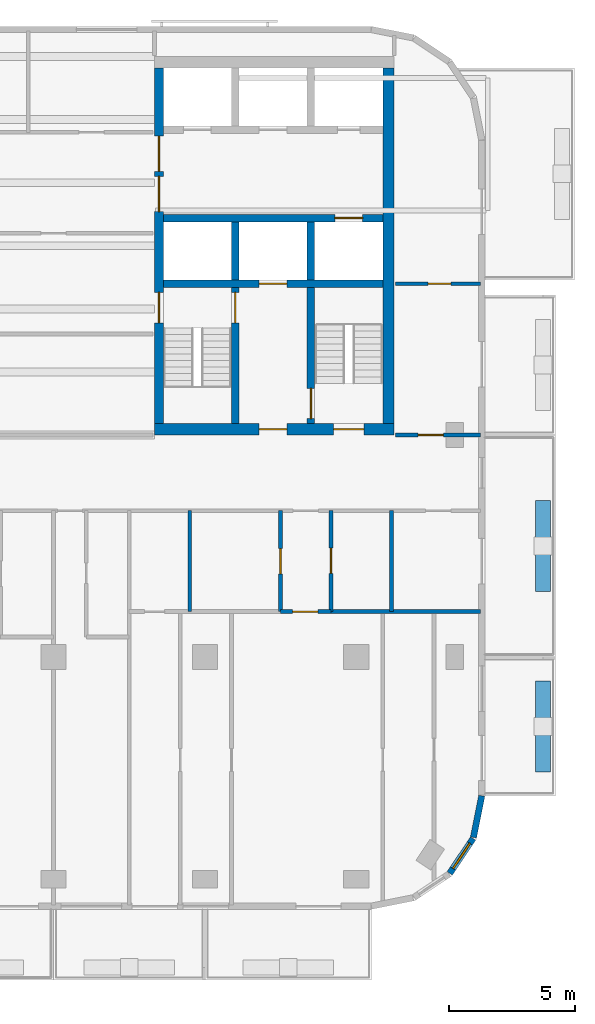
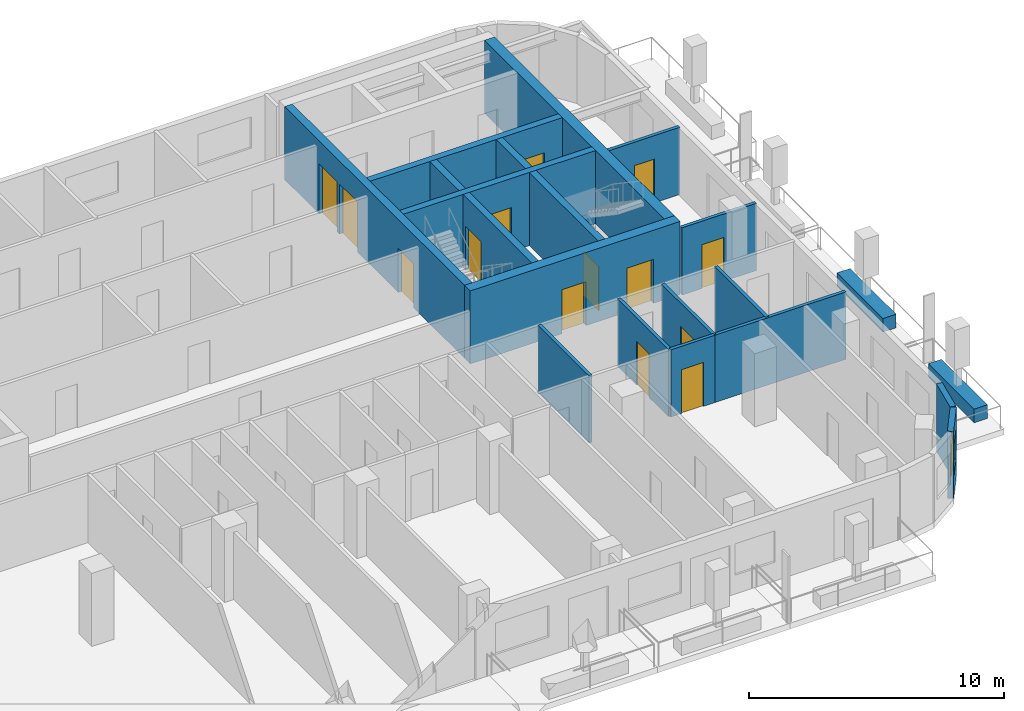
# One storey, part 5 of 11: 21 walls, 14 doors, 1 window, 15 openings.
"""IFC4 building model written with IfcOpenShell, lengths in metres."""

from ifc_helpers import new_model, si_unit, direction, frame, frame_2d, origin, place, context, subcontext, project, spatial, rectangle, extrude, material, layer, layer_set, type_object, element, fill, save


model = new_model("IFC4")

# Units and contexts
model_context = context("Model", 3, precision=1e-05, world=origin(), true_north=direction((0.0, 1.0)))
body_context = subcontext(model_context, "Body", "Model", "MODEL_VIEW")
ifc_project = project(units=[si_unit("LENGTHUNIT", "METRE"), si_unit("AREAUNIT", "SQUARE_METRE"), si_unit("VOLUMEUNIT", "CUBIC_METRE"), si_unit("PLANEANGLEUNIT", "RADIAN"), si_unit("MASSUNIT", "GRAM", prefix="KILO")], contexts=[model_context])

# Site, building, storey
site_placement = place(None, origin())
site = spatial("IfcSite", under=ifc_project, at=site_placement, CompositionType="ELEMENT")
building_placement = place(site_placement, origin())
building = spatial("IfcBuilding", under=site, at=building_placement, Name="Torana Hotel and Residences", CompositionType="ELEMENT")
storey_placement = place(building_placement, frame((0.0, 0.0, 266.60009765625)))
storey = spatial("IfcBuildingStorey", under=building, at=storey_placement, Name="L70", CompositionType="ELEMENT", Elevation=266.60009765625)

# Wall, opening, door
ifc_material_1 = material(Name="Concrete C60/75", Category="concrete")
ifc_layer_1 = layer(ifc_material_1, 0.300048828125)
ifc_layer_set_1 = layer_set([ifc_layer_1], Name="CORE WALL 300 C60/75")
wall_type_1 = type_object("IfcWallType", Name="CORE WALL 300 C60/75", PredefinedType="SHEAR", material=ifc_layer_set_1)
wall_1_placement = place(storey_placement, frame((10.35009765625, -6.39990234375, 0.0), z_axis=(0.0, 0.0, 1.0), x_axis=(1.0, 0.0, 0.0)))
wall_1 = element("IfcWall", 1, at=wall_1_placement, inside=storey, type_object=wall_type_1, Name="Core wall E row-S", PredefinedType="SHEAR", context=body_context, shape_type="SweptSolid", body=[
    extrude(rectangle(XDim=8.699951171875, YDim=0.300048828125, at=frame_2d((4.35009765625, 0.0))), origin(), (0.0, 0.0, 1.0), 3.5),
])
opening_1_placement = place(wall_1_placement, frame((6.800048828125, 0.0, 0.0)))
opening_1 = element("IfcOpeningElement", 2, at=opening_1_placement, cuts=wall_1, Name="Opening LD", PredefinedType="OPENING", context=body_context, shape_type="SweptSolid", body=[
    extrude(rectangle(XDim=1.10009765625, YDim=2.10009765625, at=frame_2d((0.550048828125, 1.050048828125))), frame((0.0, 0.159912109375, 0.0), z_axis=(0.0, -1.0, 0.0), x_axis=(1.0, 0.0, 0.0)), (0.0, 0.0, 1.0), 0.320068359375),
])
ifc_material_2 = material(Name="Stainless steel 316", Category="steel")
door_type_1 = type_object("IfcDoorType", Name="LIFT LANDING DOOR LD 1100x2100", OperationType="DOUBLE_DOOR_SLIDING", PredefinedType="USERDEFINED", material=ifc_material_2)
door_1_placement = place(opening_1_placement, origin())
door_1 = element("IfcDoor", 3, at=door_1_placement, inside=storey, type_object=door_type_1, Name="Lift landing door SV2 L70", ObjectType="LIFT LANDING DOOR", OperationType="DOUBLE_DOOR_SLIDING", OverallHeight=2.10009765625, OverallWidth=1.10009765625, PredefinedType="USERDEFINED", context=body_context, shape_type="SweptSolid", body=[
    extrude(rectangle(XDim=1.10009765625, YDim=2.10009765625, at=frame_2d((0.550048828125, 1.050048828125))), frame((0.0, 0.02490234375, 0.0), z_axis=(0.0, -1.0, 0.0), x_axis=(1.0, 0.0, 0.0)), (0.0, 0.0, 1.0), 0.050048828125),
])
fill(opening_1, door_1)

wall_2_placement = place(storey_placement, frame((10.35009765625, -9.0, 0.0), z_axis=(0.0, 0.0, 1.0), x_axis=(1.0, 0.0, 0.0)))
wall_2 = element("IfcWall", 4, at=wall_2_placement, inside=storey, type_object=wall_type_1, Name="Core wall E band", PredefinedType="SHEAR", context=body_context, shape_type="SweptSolid", body=[
    extrude(rectangle(XDim=8.699951171875, YDim=0.300048828125, at=frame_2d((4.35009765625, 0.0))), origin(), (0.0, 0.0, 1.0), 3.5),
])
opening_2_placement = place(wall_2_placement, frame((3.800048828125, 0.0, 0.0)))
opening_2 = element("IfcOpeningElement", 5, at=opening_2_placement, cuts=wall_2, Name="Opening LD", PredefinedType="OPENING", context=body_context, shape_type="SweptSolid", body=[
    extrude(rectangle(XDim=1.10009765625, YDim=2.10009765625, at=frame_2d((0.550048828125, 1.050048828125))), frame((0.0, 0.159912109375, 0.0), z_axis=(0.0, -1.0, 0.0), x_axis=(1.0, 0.0, 0.0)), (0.0, 0.0, 1.0), 0.320068359375),
])
door_2_placement = place(opening_2_placement, origin())
door_2 = element("IfcDoor", 6, at=door_2_placement, inside=storey, type_object=door_type_1, Name="Lift landing door FF2 L70", ObjectType="LIFT LANDING DOOR", OperationType="DOUBLE_DOOR_SLIDING", OverallHeight=2.10009765625, OverallWidth=1.10009765625, PredefinedType="USERDEFINED", context=body_context, shape_type="SweptSolid", body=[
    extrude(rectangle(XDim=1.10009765625, YDim=2.10009765625, at=frame_2d((0.550048828125, 1.050048828125))), frame((0.0, 0.02490234375, 0.0), z_axis=(0.0, -1.0, 0.0), x_axis=(1.0, 0.0, 0.0)), (0.0, 0.0, 1.0), 0.050048828125),
])
fill(opening_2, door_2)

# Wall
wall_3_placement = place(storey_placement, frame((13.199951171875, -8.85009765625, 0.0), z_axis=(0.0, 0.0, 1.0), x_axis=(0.0, 1.0, 0.0)))
element("IfcWall", 7, at=wall_3_placement, inside=storey, type_object=wall_type_1, Name="Core wall E x3.05-S", PredefinedType="SHEAR", context=body_context, shape_type="SweptSolid", body=[
    extrude(rectangle(XDim=2.300048828125, YDim=0.300048828125, at=frame_2d((1.14990234375, 0.0))), origin(), (0.0, 0.0, 1.0), 3.5),
])

# Wall, opening, door
wall_4_placement = place(storey_placement, frame((13.199951171875, -14.550048828125, 0.0), z_axis=(0.0, 0.0, 1.0), x_axis=(0.0, 1.0, 0.0)))
wall_4 = element("IfcWall", 8, at=wall_4_placement, inside=storey, type_object=wall_type_1, Name="Core wall E x3.05-band", PredefinedType="SHEAR", context=body_context, shape_type="SweptSolid", body=[
    extrude(rectangle(XDim=5.400146484375, YDim=0.300048828125, at=frame_2d((2.7001953125, 0.0))), origin(), (0.0, 0.0, 1.0), 3.5),
])
opening_3_placement = place(wall_4_placement, frame((4.0, 0.0, 0.0)))
opening_3 = element("IfcOpeningElement", 9, at=opening_3_placement, cuts=wall_4, Name="Opening L70-15", PredefinedType="OPENING", context=body_context, shape_type="SweptSolid", body=[
    extrude(rectangle(XDim=1.199951171875, YDim=2.10009765625, at=frame_2d((0.60009765625, 1.050048828125))), frame((0.0, 0.159912109375, 0.0), z_axis=(0.0, -1.0, 0.0), x_axis=(1.0, 0.0, 0.0)), (0.0, 0.0, 1.0), 0.320068359375),
])
ifc_material_3 = material(Name="Steel S235", Category="steel")
door_type_2 = type_object("IfcDoorType", Name="STAIR FIRE DOOR D3 1200x2100", OperationType="SINGLE_SWING_LEFT", PredefinedType="DOOR", material=ifc_material_3)
door_3_placement = place(opening_3_placement, origin())
door_3 = element("IfcDoor", 10, at=door_3_placement, inside=storey, type_object=door_type_2, Name="Stair-A-lobby door L70", OperationType="SINGLE_SWING_LEFT", OverallHeight=2.10009765625, OverallWidth=1.199951171875, PredefinedType="DOOR", context=body_context, shape_type="SweptSolid", body=[
    extrude(rectangle(XDim=1.199951171875, YDim=2.10009765625, at=frame_2d((0.60009765625, 1.050048828125))), frame((0.0, 0.02490234375, 0.0), z_axis=(0.0, -1.0, 0.0), x_axis=(1.0, 0.0, 0.0)), (0.0, 0.0, 1.0), 0.050048828125),
])
fill(opening_3, door_3)

# Wall
wall_5_placement = place(storey_placement, frame((16.199951171875, -8.85009765625, 0.0), z_axis=(0.0, 0.0, 1.0), x_axis=(0.0, 1.0, 0.0)))
element("IfcWall", 11, at=wall_5_placement, inside=storey, type_object=wall_type_1, Name="Core wall E x6.05-S", PredefinedType="SHEAR", context=body_context, shape_type="SweptSolid", body=[
    extrude(rectangle(XDim=2.300048828125, YDim=0.300048828125, at=frame_2d((1.14990234375, 0.0))), origin(), (0.0, 0.0, 1.0), 3.5),
])

# Wall, opening, door
wall_6_placement = place(storey_placement, frame((16.199951171875, -14.550048828125, 0.0), z_axis=(0.0, 0.0, 1.0), x_axis=(0.0, 1.0, 0.0)))
wall_6 = element("IfcWall", 12, at=wall_6_placement, inside=storey, type_object=wall_type_1, Name="Core wall E x6.05-band", PredefinedType="SHEAR", context=body_context, shape_type="SweptSolid", body=[
    extrude(rectangle(XDim=5.400146484375, YDim=0.300048828125, at=frame_2d((2.7001953125, 0.0))), origin(), (0.0, 0.0, 1.0), 3.5),
])
opening_4_placement = place(wall_6_placement, frame((0.199951171875, 0.0, 0.0)))
opening_4 = element("IfcOpeningElement", 13, at=opening_4_placement, cuts=wall_6, Name="Opening L70-16", PredefinedType="OPENING", context=body_context, shape_type="SweptSolid", body=[
    extrude(rectangle(XDim=1.199951171875, YDim=2.10009765625, at=frame_2d((0.60009765625, 1.050048828125))), frame((0.0, 0.159912109375, 0.0), z_axis=(0.0, -1.0, 0.0), x_axis=(1.0, 0.0, 0.0)), (0.0, 0.0, 1.0), 0.320068359375),
])
door_4_placement = place(opening_4_placement, frame((0.60009765625, 0.0, 0.0), z_axis=(0.0, 0.0, 1.0), x_axis=(-1.0, 0.0, 0.0)))
door_4 = element("IfcDoor", 14, at=door_4_placement, inside=storey, type_object=door_type_2, Name="Stair-B-lobby door L70", OperationType="SINGLE_SWING_LEFT", OverallHeight=2.10009765625, OverallWidth=1.199951171875, PredefinedType="DOOR", context=body_context, shape_type="SweptSolid", body=[
    extrude(rectangle(XDim=1.199951171875, YDim=2.10009765625, at=frame_2d((0.0, 1.050048828125))), frame((0.0, -0.02490234375, 0.0), z_axis=(0.0, 1.0, 0.0), x_axis=(-1.0, 0.0, 0.0)), (0.0, 0.0, 1.0), 0.050048828125),
])
fill(opening_4, door_4)

# Wall, openings, doors
ifc_material_4 = material(Name="Concrete C60/75", Category="concrete")
ifc_layer_2 = layer(ifc_material_4, 0.35009765625)
ifc_layer_set_2 = layer_set([ifc_layer_2], Name="CORE WALL 350 C60/75")
wall_type_2 = type_object("IfcWallType", Name="CORE WALL 350 C60/75", PredefinedType="SHEAR", material=ifc_layer_set_2)
wall_7_placement = place(storey_placement, frame((10.175048828125, -14.550048828125, 0.0), z_axis=(0.0, 0.0, 1.0), x_axis=(0.0, 1.0, 0.0)))
wall_7 = element("IfcWall", 15, at=wall_7_placement, inside=storey, type_object=wall_type_2, Name="Core wall E arch", PredefinedType="SHEAR", context=body_context, shape_type="SweptSolid", body=[
    extrude(rectangle(XDim=14.10009765625, YDim=0.35009765625, at=frame_2d((7.050048828125, 0.0))), origin(), (0.0, 0.0, 1.0), 3.5),
])
opening_5_placement = place(wall_7_placement, frame((8.39990234375, 0.0, 0.0)))
opening_5 = element("IfcOpeningElement", 16, at=opening_5_placement, cuts=wall_7, Name="Opening L70-09", PredefinedType="OPENING", context=body_context, shape_type="SweptSolid", body=[
    extrude(rectangle(XDim=1.39990234375, YDim=2.39990234375, at=frame_2d((0.699951171875, 1.199951171875))), frame((0.0, 0.18505859375, 0.0), z_axis=(0.0, -1.0, 0.0), x_axis=(1.0, 0.0, 0.0)), (0.0, 0.0, 1.0), 0.3701171875),
])
opening_6_placement = place(wall_7_placement, frame((10.0, 0.0, 0.0)))
opening_6 = element("IfcOpeningElement", 17, at=opening_6_placement, cuts=wall_7, Name="Opening L70-10", PredefinedType="OPENING", context=body_context, shape_type="SweptSolid", body=[
    extrude(rectangle(XDim=1.39990234375, YDim=2.39990234375, at=frame_2d((0.699951171875, 1.199951171875))), frame((0.0, 0.18505859375, 0.0), z_axis=(0.0, -1.0, 0.0), x_axis=(1.0, 0.0, 0.0)), (0.0, 0.0, 1.0), 0.3701171875),
])
opening_7_placement = place(wall_7_placement, frame((4.0, 0.0, 0.0)))
opening_7 = element("IfcOpeningElement", 18, at=opening_7_placement, cuts=wall_7, Name="Opening L70-11", PredefinedType="OPENING", context=body_context, shape_type="SweptSolid", body=[
    extrude(rectangle(XDim=1.199951171875, YDim=2.10009765625, at=frame_2d((0.60009765625, 1.050048828125))), frame((0.0, 0.18505859375, 0.0), z_axis=(0.0, -1.0, 0.0), x_axis=(1.0, 0.0, 0.0)), (0.0, 0.0, 1.0), 0.3701171875),
])
ifc_material_5 = material(Name="Steel S235", Category="steel")
door_type_3 = type_object("IfcDoorType", Name="LOBBY FIRE DOOR D4 1400x2400", OperationType="DOUBLE_DOOR_SINGLE_SWING", PredefinedType="DOOR", material=ifc_material_5)
door_5_placement = place(opening_5_placement, origin())
door_5 = element("IfcDoor", 19, at=door_5_placement, inside=storey, type_object=door_type_3, Name="Lobby-1 door L70", OperationType="DOUBLE_DOOR_SINGLE_SWING", OverallHeight=2.39990234375, OverallWidth=1.39990234375, PredefinedType="DOOR", context=body_context, shape_type="SweptSolid", body=[
    extrude(rectangle(XDim=1.39990234375, YDim=2.39990234375, at=frame_2d((0.699951171875, 1.199951171875))), frame((0.0, 0.02490234375, 0.0), z_axis=(0.0, -1.0, 0.0), x_axis=(1.0, 0.0, 0.0)), (0.0, 0.0, 1.0), 0.050048828125),
])
fill(opening_5, door_5)
door_6_placement = place(opening_6_placement, origin())
door_6 = element("IfcDoor", 20, at=door_6_placement, inside=storey, type_object=door_type_3, Name="Lobby-2 door L70", OperationType="DOUBLE_DOOR_SINGLE_SWING", OverallHeight=2.39990234375, OverallWidth=1.39990234375, PredefinedType="DOOR", context=body_context, shape_type="SweptSolid", body=[
    extrude(rectangle(XDim=1.39990234375, YDim=2.39990234375, at=frame_2d((0.699951171875, 1.199951171875))), frame((0.0, 0.02490234375, 0.0), z_axis=(0.0, -1.0, 0.0), x_axis=(1.0, 0.0, 0.0)), (0.0, 0.0, 1.0), 0.050048828125),
])
fill(opening_6, door_6)
door_7_placement = place(opening_7_placement, frame((0.60009765625, 0.0, 0.0), z_axis=(0.0, 0.0, 1.0), x_axis=(-1.0, 0.0, 0.0)))
door_7 = element("IfcDoor", 21, at=door_7_placement, inside=storey, type_object=door_type_2, Name="Stair-A door L70", OperationType="SINGLE_SWING_RIGHT", OverallHeight=2.10009765625, OverallWidth=1.199951171875, PredefinedType="DOOR", context=body_context, shape_type="SweptSolid", body=[
    extrude(rectangle(XDim=1.199951171875, YDim=2.10009765625, at=frame_2d((0.0, 1.050048828125))), frame((0.0, -0.02490234375, 0.0), z_axis=(0.0, 1.0, 0.0), x_axis=(-1.0, 0.0, 0.0)), (0.0, 0.0, 1.0), 0.050048828125),
])
fill(opening_7, door_7)

ifc_material_6 = material(Name="Concrete C60/75", Category="concrete")
ifc_layer_3 = layer(ifc_material_6, 0.449951171875)
ifc_layer_set_3 = layer_set([ifc_layer_3], Name="CORE WALL 450 C60/75")
wall_type_3 = type_object("IfcWallType", Name="CORE WALL 450 C60/75", PredefinedType="SHEAR", material=ifc_layer_set_3)
wall_8_placement = place(storey_placement, frame((10.0, -14.77490234375, 0.0), z_axis=(0.0, 0.0, 1.0), x_axis=(1.0, 0.0, 0.0)))
wall_8 = element("IfcWall", 22, at=wall_8_placement, inside=storey, type_object=wall_type_3, Name="Core wall E front", PredefinedType="SHEAR", context=body_context, shape_type="SweptSolid", body=[
    extrude(rectangle(XDim=9.5, YDim=0.449951171875, at=frame_2d((4.75, 0.0))), origin(), (0.0, 0.0, 1.0), 3.5),
])
opening_8_placement = place(wall_8_placement, frame((7.10009765625, 0.0, 0.0)))
opening_8 = element("IfcOpeningElement", 23, at=opening_8_placement, cuts=wall_8, Name="Opening L70-12", PredefinedType="OPENING", context=body_context, shape_type="SweptSolid", body=[
    extrude(rectangle(XDim=1.199951171875, YDim=2.10009765625, at=frame_2d((0.60009765625, 1.050048828125))), frame((0.0, 0.23486328125, 0.0), z_axis=(0.0, -1.0, 0.0), x_axis=(1.0, 0.0, 0.0)), (0.0, 0.0, 1.0), 0.469970703125),
])
opening_9_placement = place(wall_8_placement, frame((4.14990234375, 0.0, 0.0)))
opening_9 = element("IfcOpeningElement", 24, at=opening_9_placement, cuts=wall_8, Name="Opening L70-13", PredefinedType="OPENING", context=body_context, shape_type="SweptSolid", body=[
    extrude(rectangle(XDim=1.10009765625, YDim=2.10009765625, at=frame_2d((0.550048828125, 1.050048828125))), frame((0.0, 0.23486328125, 0.0), z_axis=(0.0, -1.0, 0.0), x_axis=(1.0, 0.0, 0.0)), (0.0, 0.0, 1.0), 0.469970703125),
])
ifc_material_7 = material(Name="Steel S235", Category="steel")
door_type_4 = type_object("IfcDoorType", Name="FIRE-FIGHTING LOBBY DOOR D8 1100x2100", OperationType="SINGLE_SWING_LEFT", PredefinedType="DOOR", material=ifc_material_7)
door_8_placement = place(opening_9_placement, origin())
door_8 = element("IfcDoor", 25, at=door_8_placement, inside=storey, type_object=door_type_4, Name="FF-lobby door L70", OperationType="SINGLE_SWING_RIGHT", OverallHeight=2.10009765625, OverallWidth=1.10009765625, PredefinedType="DOOR", context=body_context, shape_type="SweptSolid", body=[
    extrude(rectangle(XDim=1.10009765625, YDim=2.10009765625, at=frame_2d((0.550048828125, 1.050048828125))), frame((0.0, 0.02490234375, 0.0), z_axis=(0.0, -1.0, 0.0), x_axis=(1.0, 0.0, 0.0)), (0.0, 0.0, 1.0), 0.050048828125),
])
fill(opening_9, door_8)
door_9_placement = place(opening_8_placement, origin())
door_9 = element("IfcDoor", 26, at=door_9_placement, inside=storey, type_object=door_type_2, Name="Stair-B door L70", OperationType="SINGLE_SWING_RIGHT", OverallHeight=2.10009765625, OverallWidth=1.199951171875, PredefinedType="DOOR", context=body_context, shape_type="SweptSolid", body=[
    extrude(rectangle(XDim=1.199951171875, YDim=2.10009765625, at=frame_2d((0.60009765625, 1.050048828125))), frame((0.0, 0.02490234375, 0.0), z_axis=(0.0, -1.0, 0.0), x_axis=(1.0, 0.0, 0.0)), (0.0, 0.0, 1.0), 0.050048828125),
])
fill(opening_8, door_9)

# Wall
wall_9_placement = place(storey_placement, frame((19.27490234375, -14.550048828125, 0.0), z_axis=(0.0, 0.0, 1.0), x_axis=(0.0, 1.0, 0.0)))
element("IfcWall", 27, at=wall_9_placement, inside=storey, type_object=wall_type_3, Name="Core wall E outer", PredefinedType="SHEAR", context=body_context, shape_type="SweptSolid", body=[
    extrude(rectangle(XDim=14.10009765625, YDim=0.449951171875, at=frame_2d((7.050048828125, 0.0))), origin(), (0.0, 0.0, 1.0), 3.5),
])

# Wall, opening, window
ifc_material_8 = material(Name="Black aluminium composite panel", Category="aluminium")
ifc_layer_4 = layer(ifc_material_8, 0.00390625, Name="Cladding", Category="cladding")
ifc_material_9 = material(Name="Ventilated air cavity")
ifc_layer_5 = layer(ifc_material_9, 0.0400390625, Name="Ventilated cavity", Category="cavity")
ifc_material_10 = material(Name="Mineral wool insulation")
ifc_layer_6 = layer(ifc_material_10, 0.090087890625, Name="Insulation", Category="insulation")
ifc_material_11 = material(Name="Steel S280GD", Category="steel")
ifc_layer_7 = layer(ifc_material_11, 0.092041015625, Name="Steel stud frame", Category="structure")
ifc_material_12 = material(Name="Fire rated plasterboard")
ifc_layer_8 = layer(ifc_material_12, 0.011962890625, Name="Inner board", Category="finish")
ifc_layer_9 = layer(ifc_material_12, 0.011962890625, Name="Second board", Category="finish")
ifc_layer_set_4 = layer_set([ifc_layer_4, ifc_layer_5, ifc_layer_6, ifc_layer_7, ifc_layer_8, ifc_layer_9], Name="EW1 EXTERNAL WALL BLACK METAL CLAD 250")
wall_type_4 = type_object("IfcWallType", Name="EW1 EXTERNAL WALL BLACK METAL CLAD 250", PredefinedType="SOLIDWALL", material=ifc_layer_set_4)
wall_10_placement = place(storey_placement, frame((21.705810546875, -32.37109375, 0.0), z_axis=(0.0, 0.0, 1.0), x_axis=(0.55555029066, 0.831482937015, 0.0)))
wall_10 = element("IfcWall", 28, at=wall_10_placement, inside=storey, type_object=wall_type_4, Name="External wall L70 e0.17", PredefinedType="SOLIDWALL", context=body_context, shape_type="SweptSolid", body=[
    extrude(rectangle(XDim=1.65625, YDim=0.25, at=frame_2d((0.828125, 0.0))), origin(), (0.0, 0.0, 1.0), 3.219970703125),
])
opening_10_placement = place(wall_10_placement, frame((0.228271484375, 0.0, 0.89990234375)))
opening_10 = element("IfcOpeningElement", 29, at=opening_10_placement, cuts=wall_10, Name="Opening W5", PredefinedType="OPENING", context=body_context, shape_type="SweptSolid", body=[
    extrude(rectangle(XDim=1.199951171875, YDim=1.5, at=frame_2d((0.60009765625, 0.75))), frame((0.0, 0.135009765625, 0.0), z_axis=(0.0, -1.0, 0.0), x_axis=(1.0, 0.0, 0.0)), (0.0, 0.0, 1.0), 0.27001953125),
])
ifc_material_13 = material(Name="Dark glass in black aluminium frame", Category="aluminium")
window_type = type_object("IfcWindowType", Name="W5 CORNER FACET WINDOW 1200x1500", PartitioningType="SINGLE_PANEL", PredefinedType="WINDOW", material=ifc_material_13)
window_placement = place(opening_10_placement, origin())
window = element("IfcWindow", 30, at=window_placement, inside=storey, type_object=window_type, Name="Window L70 e0.17", OverallHeight=1.5, OverallWidth=1.199951171875, PartitioningType="SINGLE_PANEL", PredefinedType="WINDOW", context=body_context, shape_type="SweptSolid", body=[
    extrude(rectangle(XDim=1.199951171875, YDim=1.5, at=frame_2d((0.60009765625, 0.75))), frame((0.0, 0.030029296875, 0.0), z_axis=(0.0, -1.0, 0.0), x_axis=(1.0, 0.0, 0.0)), (0.0, 0.0, 1.0), 0.06005859375),
])
fill(opening_10, window)

# Wall
wall_11_placement = place(storey_placement, frame((22.64453125, -30.948974609375, 0.0), z_axis=(0.0, 0.0, 1.0), x_axis=(0.19513878023, 0.980775640221, 0.0)))
element("IfcWall", 31, at=wall_11_placement, inside=storey, type_object=wall_type_4, Name="External wall L70 e0.18", PredefinedType="SOLIDWALL", context=body_context, shape_type="SweptSolid", body=[
    extrude(rectangle(XDim=1.681396484375, YDim=0.25, at=frame_2d((0.8408203125, 0.0))), origin(), (0.0, 0.0, 1.0), 3.219970703125),
])

# Wall, opening, door
ifc_material_14 = material(Name="Gypsum plaster")
ifc_layer_10 = layer(ifc_material_14, 0.014892578125, Name="Plaster", Category="finish")
ifc_material_15 = material(Name="Concrete blockwork", Category="masonry")
ifc_layer_11 = layer(ifc_material_15, 0.1201171875, Name="Blockwork", Category="structure")
ifc_layer_12 = layer(ifc_material_14, 0.014892578125, Name="Plaster", Category="finish")
ifc_layer_set_5 = layer_set([ifc_layer_10, ifc_layer_11, ifc_layer_12], Name="FIRE PARTITION 150 BLOCKWORK")
wall_type_5 = type_object("IfcWallType", Name="FIRE PARTITION 150 BLOCKWORK", PredefinedType="PARTITIONING", material=ifc_layer_set_5)
wall_12_placement = place(storey_placement, frame((17.0, -22.0, 0.0), z_axis=(0.0, 0.0, 1.0), x_axis=(0.0, 1.0, 0.0)))
wall_12 = element("IfcWall", 32, at=wall_12_placement, inside=storey, type_object=wall_type_5, Name="Partition L70", PredefinedType="PARTITIONING", context=body_context, shape_type="SweptSolid", body=[
    extrude(rectangle(XDim=4.0, YDim=0.14990234375, at=frame_2d((2.0, 0.0))), origin(), (0.0, 0.0, 1.0), 3.219970703125),
])
opening_11_placement = place(wall_12_placement, frame((1.52001953125, 0.0, 0.0)))
opening_11 = element("IfcOpeningElement", 33, at=opening_11_placement, cuts=wall_12, Name="Opening L70-46", PredefinedType="OPENING", context=body_context, shape_type="SweptSolid", body=[
    extrude(rectangle(XDim=1.0, YDim=2.10009765625, at=frame_2d((0.5, 1.050048828125))), frame((0.0, 0.0849609375, 0.0), z_axis=(0.0, -1.0, 0.0), x_axis=(1.0, 0.0, 0.0)), (0.0, 0.0, 1.0), 0.169921875),
])
ifc_material_16 = material(Name="Steel S235", Category="steel")
door_type_5 = type_object("IfcDoorType", Name="ENTRY FIRE DOOR D6 1000x2100", OperationType="SINGLE_SWING_LEFT", PredefinedType="DOOR", material=ifc_material_16)
door_10_placement = place(opening_11_placement, frame((0.5, 0.0, 0.0), z_axis=(0.0, 0.0, 1.0), x_axis=(-1.0, 0.0, 0.0)))
door_10 = element("IfcDoor", 34, at=door_10_placement, inside=storey, type_object=door_type_5, Name="Door L70", OperationType="SINGLE_SWING_LEFT", OverallHeight=2.10009765625, OverallWidth=1.0, PredefinedType="DOOR", context=body_context, shape_type="SweptSolid", body=[
    extrude(rectangle(XDim=1.0, YDim=2.10009765625, at=frame_2d((0.0, 1.050048828125))), frame((0.0, -0.02490234375, 0.0), z_axis=(0.0, 1.0, 0.0), x_axis=(-1.0, 0.0, 0.0)), (0.0, 0.0, 1.0), 0.050048828125),
])
fill(opening_11, door_10)

wall_13_placement = place(storey_placement, frame((15.0, -22.0, 0.0), z_axis=(0.0, 0.0, 1.0), x_axis=(0.0, 1.0, 0.0)))
wall_13 = element("IfcWall", 35, at=wall_13_placement, inside=storey, type_object=wall_type_5, Name="Partition L70", PredefinedType="PARTITIONING", context=body_context, shape_type="SweptSolid", body=[
    extrude(rectangle(XDim=4.0, YDim=0.14990234375, at=frame_2d((2.0, 0.0))), origin(), (0.0, 0.0, 1.0), 3.219970703125),
])
opening_12_placement = place(wall_13_placement, frame((1.5, 0.0, 0.0)))
opening_12 = element("IfcOpeningElement", 36, at=opening_12_placement, cuts=wall_13, Name="Opening L70-45", PredefinedType="OPENING", context=body_context, shape_type="SweptSolid", body=[
    extrude(rectangle(XDim=1.0, YDim=2.10009765625, at=frame_2d((0.5, 1.050048828125))), frame((0.0, 0.0849609375, 0.0), z_axis=(0.0, -1.0, 0.0), x_axis=(1.0, 0.0, 0.0)), (0.0, 0.0, 1.0), 0.169921875),
])
door_11_placement = place(opening_12_placement, origin())
door_11 = element("IfcDoor", 37, at=door_11_placement, inside=storey, type_object=door_type_5, Name="Door L70", OperationType="SINGLE_SWING_RIGHT", OverallHeight=2.10009765625, OverallWidth=1.0, PredefinedType="DOOR", context=body_context, shape_type="SweptSolid", body=[
    extrude(rectangle(XDim=1.0, YDim=2.10009765625, at=frame_2d((0.5, 1.050048828125))), frame((0.0, 0.02490234375, 0.0), z_axis=(0.0, -1.0, 0.0), x_axis=(1.0, 0.0, 0.0)), (0.0, 0.0, 1.0), 0.050048828125),
])
fill(opening_12, door_11)

wall_14_placement = place(storey_placement, frame((15.0, -22.0, 0.0), z_axis=(0.0, 0.0, 1.0), x_axis=(1.0, 0.0, 0.0)))
wall_14 = element("IfcWall", 38, at=wall_14_placement, inside=storey, type_object=wall_type_5, Name="Partition L70", PredefinedType="PARTITIONING", context=body_context, shape_type="SweptSolid", body=[
    extrude(rectangle(XDim=2.0, YDim=0.14990234375, at=frame_2d((1.0, 0.0))), origin(), (0.0, 0.0, 1.0), 3.219970703125),
])
opening_13_placement = place(wall_14_placement, frame((0.47998046875, 0.0, 0.0)))
opening_13 = element("IfcOpeningElement", 39, at=opening_13_placement, cuts=wall_14, Name="Opening L70-47", PredefinedType="OPENING", context=body_context, shape_type="SweptSolid", body=[
    extrude(rectangle(XDim=1.0, YDim=2.10009765625, at=frame_2d((0.5, 1.050048828125))), frame((0.0, 0.0849609375, 0.0), z_axis=(0.0, -1.0, 0.0), x_axis=(1.0, 0.0, 0.0)), (0.0, 0.0, 1.0), 0.169921875),
])
door_12_placement = place(opening_13_placement, frame((0.5, 0.0, 0.0), z_axis=(0.0, 0.0, 1.0), x_axis=(-1.0, 0.0, 0.0)))
door_12 = element("IfcDoor", 40, at=door_12_placement, inside=storey, type_object=door_type_5, Name="Door L70", OperationType="SINGLE_SWING_LEFT", OverallHeight=2.10009765625, OverallWidth=1.0, PredefinedType="DOOR", context=body_context, shape_type="SweptSolid", body=[
    extrude(rectangle(XDim=1.0, YDim=2.10009765625, at=frame_2d((0.0, 1.050048828125))), frame((0.0, -0.02490234375, 0.0), z_axis=(0.0, 1.0, 0.0), x_axis=(-1.0, 0.0, 0.0)), (0.0, 0.0, 1.0), 0.050048828125),
])
fill(opening_13, door_12)

wall_15_placement = place(storey_placement, frame((19.550048828125, -15.0, 0.0), z_axis=(0.0, 0.0, 1.0), x_axis=(1.0, 0.0, 0.0)))
wall_15 = element("IfcWall", 41, at=wall_15_placement, inside=storey, type_object=wall_type_5, Name="Partition L70", PredefinedType="PARTITIONING", context=body_context, shape_type="SweptSolid", body=[
    extrude(rectangle(XDim=3.369873046875, YDim=0.14990234375, at=frame_2d((1.68505859375, 0.0))), origin(), (0.0, 0.0, 1.0), 3.219970703125),
])
opening_14_placement = place(wall_15_placement, frame((0.89990234375, 0.0, 0.0)))
opening_14 = element("IfcOpeningElement", 42, at=opening_14_placement, cuts=wall_15, Name="Opening L70-27", PredefinedType="OPENING", context=body_context, shape_type="SweptSolid", body=[
    extrude(rectangle(XDim=1.0, YDim=2.10009765625, at=frame_2d((0.5, 1.050048828125))), frame((0.0, 0.0849609375, 0.0), z_axis=(0.0, -1.0, 0.0), x_axis=(1.0, 0.0, 0.0)), (0.0, 0.0, 1.0), 0.169921875),
])
ifc_material_17 = material(Name="Steel S235", Category="steel")
door_type_6 = type_object("IfcDoorType", Name="CORE ROOM FIRE DOOR D14 1000x2100", OperationType="SINGLE_SWING_LEFT", PredefinedType="DOOR", material=ifc_material_17)
door_13_placement = place(opening_14_placement, origin())
door_13 = element("IfcDoor", 43, at=door_13_placement, inside=storey, type_object=door_type_6, Name="Door L70", OperationType="SINGLE_SWING_LEFT", OverallHeight=2.10009765625, OverallWidth=1.0, PredefinedType="DOOR", context=body_context, shape_type="SweptSolid", body=[
    extrude(rectangle(XDim=1.0, YDim=2.10009765625, at=frame_2d((0.5, 1.050048828125))), frame((0.0, 0.02490234375, 0.0), z_axis=(0.0, -1.0, 0.0), x_axis=(1.0, 0.0, 0.0)), (0.0, 0.0, 1.0), 0.050048828125),
])
fill(opening_14, door_13)

# Walls
ifc_material_18 = material(Name="Gypsum plasterboard")
ifc_layer_13 = layer(ifc_material_18, 0.012451171875, Name="Plasterboard", Category="finish")
ifc_layer_14 = layer(ifc_material_18, 0.012451171875, Name="Plasterboard", Category="finish")
ifc_layer_15 = layer(ifc_material_11, 0.10009765625, Name="Steel studs with mineral wool", Category="insulation")
ifc_layer_16 = layer(ifc_material_18, 0.012451171875, Name="Plasterboard", Category="finish")
ifc_layer_17 = layer(ifc_material_18, 0.012451171875, Name="Plasterboard", Category="finish")
ifc_layer_set_6 = layer_set([ifc_layer_13, ifc_layer_14, ifc_layer_15, ifc_layer_16, ifc_layer_17], Name="PARTITION 150 PLASTERBOARD")
wall_type_6 = type_object("IfcWallType", Name="PARTITION 150 PLASTERBOARD", PredefinedType="PARTITIONING", material=ifc_layer_set_6)
for number, where, z_axis, x_axis, name in (
    (44, (19.39990234375, -22.0, 0.0), (0.0, 0.0, 1.0), (0.0, 1.0, 0.0), "Partition L70"),
    (45, (11.39990234375, -22.0, 0.0), (0.0, 0.0, 1.0), (0.0, 1.0, 0.0), "Partition L70"),
):
    element("IfcWall", number, at=place(storey_placement, frame(where, z_axis=z_axis, x_axis=x_axis)), inside=storey, type_object=wall_type_6, Name=name, PredefinedType="PARTITIONING", context=body_context, shape_type="SweptSolid", body=[
        extrude(rectangle(XDim=4.0, YDim=0.14990234375, at=frame_2d((2.0, 0.0))), origin(), (0.0, 0.0, 1.0), 3.219970703125),
    ])
wall_16_placement = place(storey_placement, frame((17.0, -22.0, 0.0), z_axis=(0.0, 0.0, 1.0), x_axis=(1.0, 0.0, 0.0)))
element("IfcWall", 46, at=wall_16_placement, inside=storey, type_object=wall_type_6, Name="Partition L70", PredefinedType="PARTITIONING", context=body_context, shape_type="SweptSolid", body=[
    extrude(rectangle(XDim=5.919921875, YDim=0.14990234375, at=frame_2d((2.9599609375, 0.0))), origin(), (0.0, 0.0, 1.0), 3.219970703125),
])

# Wall, opening, door
wall_17_placement = place(storey_placement, frame((19.550048828125, -9.0, 0.0), z_axis=(0.0, 0.0, 1.0), x_axis=(1.0, 0.0, 0.0)))
wall_17 = element("IfcWall", 47, at=wall_17_placement, inside=storey, type_object=wall_type_6, Name="Partition L70", PredefinedType="PARTITIONING", context=body_context, shape_type="SweptSolid", body=[
    extrude(rectangle(XDim=3.369873046875, YDim=0.14990234375, at=frame_2d((1.68505859375, 0.0))), origin(), (0.0, 0.0, 1.0), 3.219970703125),
])
opening_15_placement = place(wall_17_placement, frame((1.300048828125, 0.0, 0.0)))
opening_15 = element("IfcOpeningElement", 48, at=opening_15_placement, cuts=wall_17, Name="Opening L70-53", PredefinedType="OPENING", context=body_context, shape_type="SweptSolid", body=[
    extrude(rectangle(XDim=0.89990234375, YDim=2.10009765625, at=frame_2d((0.449951171875, 1.050048828125))), frame((0.0, 0.0849609375, 0.0), z_axis=(0.0, -1.0, 0.0), x_axis=(1.0, 0.0, 0.0)), (0.0, 0.0, 1.0), 0.169921875),
])
ifc_material_19 = material(Name="Timber door, oiled ash", Category="wood")
door_type_7 = type_object("IfcDoorType", Name="ROOM DOOR D7 900x2100", OperationType="SINGLE_SWING_LEFT", PredefinedType="DOOR", material=ifc_material_19)
door_14_placement = place(opening_15_placement, origin())
door_14 = element("IfcDoor", 49, at=door_14_placement, inside=storey, type_object=door_type_7, Name="Door L70", OperationType="SINGLE_SWING_LEFT", OverallHeight=2.10009765625, OverallWidth=0.89990234375, PredefinedType="DOOR", context=body_context, shape_type="SweptSolid", body=[
    extrude(rectangle(XDim=0.89990234375, YDim=2.10009765625, at=frame_2d((0.449951171875, 1.050048828125))), frame((0.0, 0.02490234375, 0.0), z_axis=(0.0, -1.0, 0.0), x_axis=(1.0, 0.0, 0.0)), (0.0, 0.0, 1.0), 0.050048828125),
])
fill(opening_15, door_14)

# Walls
ifc_material_20 = material(Name="Concrete C40/50 precast", Category="concrete")
ifc_layer_18 = layer(ifc_material_20, 0.10009765625, Name="Planter shell", Category="structure")
ifc_material_21 = material(Name="Root resistant membrane")
ifc_layer_19 = layer(ifc_material_21, 0.00390625, Name="Waterproofing membrane", Category="membrane")
ifc_material_22 = material(Name="Drainage board with filter fleece")
ifc_layer_20 = layer(ifc_material_22, 0.02001953125, Name="Drainage board", Category="drainage")
ifc_material_23 = material(Name="Growing medium")
ifc_layer_21 = layer(ifc_material_23, 0.47607421875, Name="Planting substrate", Category="soil")
ifc_layer_set_7 = layer_set([ifc_layer_18, ifc_layer_19, ifc_layer_20, ifc_layer_21], Name="PL1 BALCONY PLANTER 600")
wall_type_7 = type_object("IfcWallType", Name="PL1 BALCONY PLANTER 600", PredefinedType="USERDEFINED", material=ifc_layer_set_7)
wall_18_placement = place(storey_placement, frame((25.39990234375, -24.75, 0.0), z_axis=(0.0, 0.0, 1.0), x_axis=(0.0, -1.0, 0.0)))
element("IfcWall", 50, at=wall_18_placement, inside=storey, type_object=wall_type_7, Name="Planter 11", ObjectType="PLANTER", PredefinedType="USERDEFINED", context=body_context, shape_type="SweptSolid", body=[
    extrude(rectangle(XDim=3.60009765625, YDim=0.60009765625, at=frame_2d((1.800048828125, 0.0))), origin(), (0.0, 0.0, 1.0), 0.64990234375),
])
wall_19_placement = place(storey_placement, frame((25.39990234375, -17.60009765625, 0.0), z_axis=(0.0, 0.0, 1.0), x_axis=(0.0, -1.0, 0.0)))
element("IfcWall", 51, at=wall_19_placement, inside=storey, type_object=wall_type_7, Name="Planter 12", ObjectType="PLANTER", PredefinedType="USERDEFINED", context=body_context, shape_type="SweptSolid", body=[
    extrude(rectangle(XDim=3.599853515625, YDim=0.60009765625, at=frame_2d((1.7998046875, 0.0))), origin(), (0.0, 0.0, 1.0), 0.64990234375),
])

save(model, "model.ifc")
